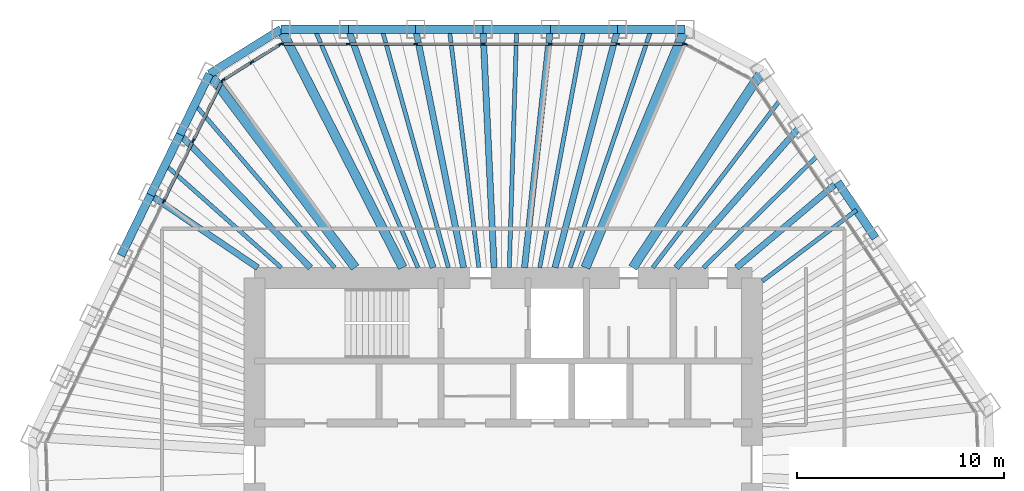
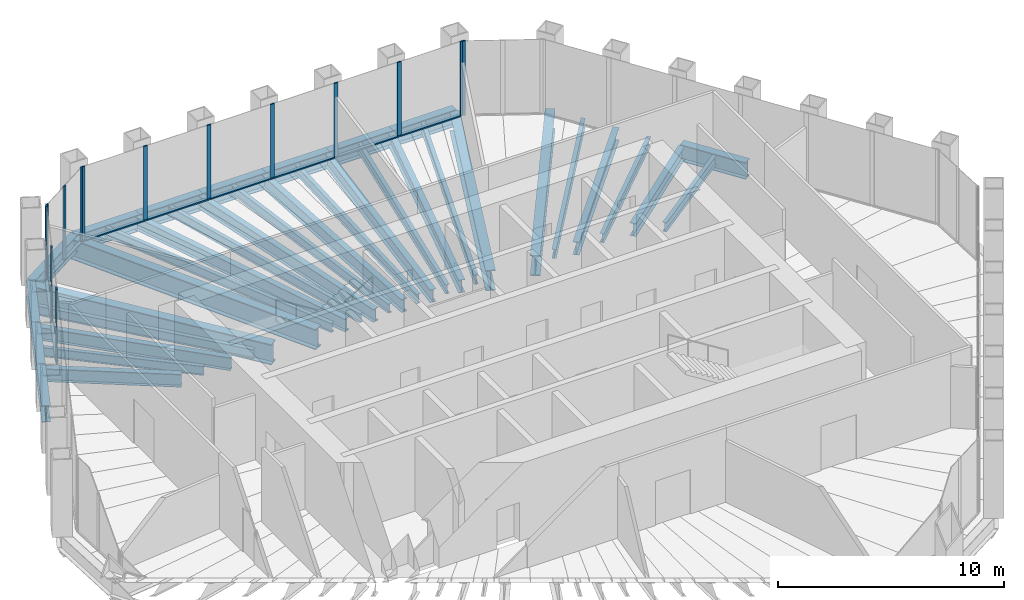
# One storey, part 7 of 14: 35 beams, 24 members, 4 elements without a shape of their own.
"""IFC4 building model written with IfcOpenShell, lengths in metres."""

from ifc_helpers import new_model, si_unit, direction, frame, origin, origin_2d, place, context, subcontext, project, spatial, rectangle, i_section, extrude, material, material_profile, profile_set, type_object, element, aggregate, save


model = new_model("IFC4")

# Units and contexts
model_context = context("Model", 3, precision=1e-05, world=origin(), true_north=direction((0.0, 1.0)))
body_context = subcontext(model_context, "Body", "Model", "MODEL_VIEW")
ifc_project = project(units=[si_unit("LENGTHUNIT", "METRE"), si_unit("AREAUNIT", "SQUARE_METRE"), si_unit("VOLUMEUNIT", "CUBIC_METRE"), si_unit("PLANEANGLEUNIT", "RADIAN"), si_unit("MASSUNIT", "GRAM", prefix="KILO")], contexts=[model_context])

# Site, building, storey
site_placement = place(None, origin())
site = spatial("IfcSite", under=ifc_project, at=site_placement, CompositionType="ELEMENT")
building_placement = place(site_placement, origin())
building = spatial("IfcBuilding", under=site, at=building_placement, Name="Qingtian Harvest Tower", CompositionType="ELEMENT")
storey_placement = place(building_placement, frame((0.0, 0.0, 287.199951171875)))
storey = spatial("IfcBuildingStorey", under=building, at=storey_placement, Name="L63", CompositionType="ELEMENT", Elevation=287.199951171875)

# Beams
ifc_material_1 = material(Name="Steel SM570MC", Category="steel")
ifc_material_profile_1 = material_profile(ifc_material_1, i_section(OverallWidth=0.449951171875, OverallDepth=1.10009765625, WebThickness=0.02197265625, FlangeThickness=0.044921875, at=origin_2d()), Name="H1100x450x22x45")
ifc_profile_set_1 = profile_set([ifc_material_profile_1], Name="Steel SM570MC")
beam_type_1 = type_object("IfcBeamType", Name="Corner floor beam FB8 H1100x450x22x45", PredefinedType="BEAM", material=ifc_profile_set_1)
beam_1_placement = place(storey_placement, frame((-10.72216796875, 21.0, -0.719970703125), z_axis=(0.454730568944, -0.890629052787, 0.0), x_axis=(0.890629052787, 0.454730568944, 0.0)))
element("IfcBeam", 1, at=beam_1_placement, inside=storey, type_object=beam_type_1, Name="Floor beam FB8 N0", PredefinedType="BEAM", context=body_context, shape_type="SweptSolid", body=[
    extrude(i_section(OverallWidth=0.449951171875, OverallDepth=1.10009765625, WebThickness=0.02197265625, FlangeThickness=0.044921875, at=origin_2d()), origin(), (0.0, 0.0, 1.0), 12.912109375),
])
beam_2_placement = place(storey_placement, frame((8.765869140625, 21.0, -0.719970703125), z_axis=(-0.385205133264, -0.922830973313, 0.0), x_axis=(0.922830973313, -0.385205133264, 0.0)))
element("IfcBeam", 2, at=beam_2_placement, inside=storey, type_object=beam_type_1, Name="Floor beam FB8 N6", PredefinedType="BEAM", context=body_context, shape_type="SweptSolid", body=[
    extrude(i_section(OverallWidth=0.449951171875, OverallDepth=1.10009765625, WebThickness=0.02197265625, FlangeThickness=0.044921875, at=origin_2d()), origin(), (0.0, 0.0, 1.0), 12.461669921875),
])
beam_3_placement = place(storey_placement, frame((12.508056640625, 19.01025390625, -0.719970703125), z_axis=(-0.549666916329, -0.835383912398, 0.0), x_axis=(0.835383912398, -0.549666916329, 0.0)))
element("IfcBeam", 3, at=beam_3_placement, inside=storey, type_object=beam_type_1, Name="Floor beam FB8 NE0", PredefinedType="BEAM", context=body_context, shape_type="SweptSolid", body=[
    extrude(i_section(OverallWidth=0.449951171875, OverallDepth=1.10009765625, WebThickness=0.02197265625, FlangeThickness=0.044921875, at=origin_2d()), origin(), (0.0, 0.0, 1.0), 11.38427734375),
])
beam_4_placement = place(storey_placement, frame((-14.17431640625, 18.8427734375, -0.719970703125), z_axis=(0.601148761641, -0.799137138655, 0.0), x_axis=(0.799137138655, 0.601148761641, 0.0)))
element("IfcBeam", 4, at=beam_4_placement, inside=storey, type_object=beam_type_1, Name="Floor beam FB8 NW6", PredefinedType="BEAM", context=body_context, shape_type="SweptSolid", body=[
    extrude(i_section(OverallWidth=0.449951171875, OverallDepth=1.10009765625, WebThickness=0.02197265625, FlangeThickness=0.044921875, at=origin_2d()), origin(), (0.0, 0.0, 1.0), 11.691162109375),
])
ifc_material_2 = material(Name="Steel SN490B", Category="steel")
ifc_material_profile_2 = material_profile(ifc_material_2, i_section(OverallWidth=0.300048828125, OverallDepth=0.699951171875, WebThickness=0.012939453125, FlangeThickness=0.02392578125, at=origin_2d()), Name="H700x300x13x24")
ifc_profile_set_2 = profile_set([ifc_material_profile_2], Name="Steel SN490B")
beam_type_2 = type_object("IfcBeamType", Name="Floor beam FB4 H700x300x13x24", PredefinedType="BEAM", material=ifc_profile_set_2)
beam_5_placement = place(storey_placement, frame((-7.47412109375, 21.0, -0.52001953125), z_axis=(0.335309922571, -0.94210787908, 0.0), x_axis=(0.94210787908, 0.335309922571, 0.0)))
element("IfcBeam", 5, at=beam_5_placement, inside=storey, type_object=beam_type_2, Name="Floor beam FB4 N1", PredefinedType="BEAM", context=body_context, shape_type="SweptSolid", body=[
    extrude(i_section(OverallWidth=0.300048828125, OverallDepth=0.699951171875, WebThickness=0.012939453125, FlangeThickness=0.02392578125, at=origin_2d()), origin(), (0.0, 0.0, 1.0), 12.206787109375),
])
beam_6_placement = place(storey_placement, frame((-4.226318359375, 21.0, -0.52001953125), z_axis=(0.197300692693, -0.980343019898, 0.0), x_axis=(0.980343019898, 0.197300692693, 0.0)))
element("IfcBeam", 6, at=beam_6_placement, inside=storey, type_object=beam_type_2, Name="Floor beam FB4 N2", PredefinedType="BEAM", context=body_context, shape_type="SweptSolid", body=[
    extrude(i_section(OverallWidth=0.300048828125, OverallDepth=0.699951171875, WebThickness=0.012939453125, FlangeThickness=0.02392578125, at=origin_2d()), origin(), (0.0, 0.0, 1.0), 11.73046875),
])
beam_7_placement = place(storey_placement, frame((-0.978271484375, 21.0, -0.52001953125), z_axis=(0.046527342366, -0.99891701678, 0.0), x_axis=(0.99891701678, 0.046527342366, 0.0)))
element("IfcBeam", 7, at=beam_7_placement, inside=storey, type_object=beam_type_2, Name="Floor beam FB4 N3", PredefinedType="BEAM", context=body_context, shape_type="SweptSolid", body=[
    extrude(i_section(OverallWidth=0.300048828125, OverallDepth=0.699951171875, WebThickness=0.012939453125, FlangeThickness=0.02392578125, at=origin_2d()), origin(), (0.0, 0.0, 1.0), 11.512451171875),
])
beam_8_placement = place(storey_placement, frame((2.269775390625, 21.0, -0.52001953125), z_axis=(-0.107454213734, -0.994210034123, 0.0), x_axis=(0.994210034123, -0.107454213734, 0.0)))
element("IfcBeam", 8, at=beam_8_placement, inside=storey, type_object=beam_type_2, Name="Floor beam FB4 N4", PredefinedType="BEAM", context=body_context, shape_type="SweptSolid", body=[
    extrude(i_section(OverallWidth=0.300048828125, OverallDepth=0.699951171875, WebThickness=0.012939453125, FlangeThickness=0.02392578125, at=origin_2d()), origin(), (0.0, 0.0, 1.0), 11.56689453125),
])
beam_9_placement = place(storey_placement, frame((5.517822265625, 21.0, -0.52001953125), z_axis=(-0.254132470973, -0.967169420111, 0.0), x_axis=(0.967169420111, -0.254132470973, 0.0)))
element("IfcBeam", 9, at=beam_9_placement, inside=storey, type_object=beam_type_2, Name="Floor beam FB4 N5", PredefinedType="BEAM", context=body_context, shape_type="SweptSolid", body=[
    extrude(i_section(OverallWidth=0.300048828125, OverallDepth=0.699951171875, WebThickness=0.012939453125, FlangeThickness=0.02392578125, at=origin_2d()), origin(), (0.0, 0.0, 1.0), 11.890380859375),
])
beam_10_placement = place(storey_placement, frame((14.32421875, 16.317626953125, -0.52001953125), z_axis=(-0.659702205655, -0.751527111856, 0.0), x_axis=(0.751527111856, -0.659702205655, 0.0)))
element("IfcBeam", 10, at=beam_10_placement, inside=storey, type_object=beam_type_2, Name="Floor beam FB4 NE1", PredefinedType="BEAM", context=body_context, shape_type="SweptSolid", body=[
    extrude(i_section(OverallWidth=0.300048828125, OverallDepth=0.699951171875, WebThickness=0.012939453125, FlangeThickness=0.02392578125, at=origin_2d()), origin(), (0.0, 0.0, 1.0), 9.07177734375),
])
beam_11_placement = place(storey_placement, frame((16.140625, 13.624755859375, -0.52001953125), z_axis=(-0.764153276603, -0.645034704382, 0.0), x_axis=(0.645034704382, -0.764153276603, 0.0)))
element("IfcBeam", 11, at=beam_11_placement, inside=storey, type_object=beam_type_2, Name="Floor beam FB4 NE2", PredefinedType="BEAM", context=body_context, shape_type="SweptSolid", body=[
    extrude(i_section(OverallWidth=0.300048828125, OverallDepth=0.699951171875, WebThickness=0.012939453125, FlangeThickness=0.02392578125, at=origin_2d()), origin(), (0.0, 0.0, 1.0), 6.39453125),
])
beam_12_placement = place(storey_placement, frame((-17.02197265625, 13.00439453125, -0.52001953125), z_axis=(0.827854296295, -0.560943191514, 0.0), x_axis=(0.560943191514, 0.827854296295, 0.0)))
element("IfcBeam", 12, at=beam_12_placement, inside=storey, type_object=beam_type_2, Name="Floor beam FB4 NW4", PredefinedType="BEAM", context=body_context, shape_type="SweptSolid", body=[
    extrude(i_section(OverallWidth=0.300048828125, OverallDepth=0.699951171875, WebThickness=0.012939453125, FlangeThickness=0.02392578125, at=origin_2d()), origin(), (0.0, 0.0, 1.0), 6.247314453125),
])
beam_13_placement = place(storey_placement, frame((-15.59814453125, 15.923583984375, -0.52001953125), z_axis=(0.699765413715, -0.714372707883, 0.0), x_axis=(0.714372707883, 0.699765413715, 0.0)))
element("IfcBeam", 13, at=beam_13_placement, inside=storey, type_object=beam_type_2, Name="Floor beam FB4 NW5", PredefinedType="BEAM", context=body_context, shape_type="SweptSolid", body=[
    extrude(i_section(OverallWidth=0.300048828125, OverallDepth=0.699951171875, WebThickness=0.012939453125, FlangeThickness=0.02392578125, at=origin_2d()), origin(), (0.0, 0.0, 1.0), 8.991943359375),
])
ifc_material_3 = material(Name="Steel SN490B", Category="steel")
ifc_material_profile_3 = material_profile(ifc_material_3, i_section(OverallWidth=0.199951171875, OverallDepth=0.5, WebThickness=0.010009765625, FlangeThickness=0.01611328125, at=origin_2d()), Name="H500x200x10x16")
ifc_profile_set_3 = profile_set([ifc_material_profile_3], Name="Steel SN490B")
beam_type_3 = type_object("IfcBeamType", Name="Floor joist J3 H500x200x10x16", PredefinedType="JOIST", material=ifc_profile_set_3)
beam_14_placement = place(storey_placement, frame((-9.09814453125, 21.0, -0.419921875), z_axis=(0.397529807491, -0.917589261138, 0.0), x_axis=(0.917589261138, 0.397529807491, 0.0)))
element("IfcBeam", 14, at=beam_14_placement, inside=storey, type_object=beam_type_3, Name="Floor joist J3 N0", PredefinedType="JOIST", context=body_context, shape_type="SweptSolid", body=[
    extrude(i_section(OverallWidth=0.199951171875, OverallDepth=0.5, WebThickness=0.010009765625, FlangeThickness=0.01611328125, at=origin_2d()), origin(), (0.0, 0.0, 1.0), 12.532958984375),
])
beam_15_placement = place(storey_placement, frame((-5.85009765625, 21.0, -0.419921875), z_axis=(0.268356818155, -0.963319582563, 0.0), x_axis=(0.963319582563, 0.268356818155, 0.0)))
element("IfcBeam", 15, at=beam_15_placement, inside=storey, type_object=beam_type_3, Name="Floor joist J3 N1", PredefinedType="JOIST", context=body_context, shape_type="SweptSolid", body=[
    extrude(i_section(OverallWidth=0.199951171875, OverallDepth=0.5, WebThickness=0.010009765625, FlangeThickness=0.01611328125, at=origin_2d()), origin(), (0.0, 0.0, 1.0), 11.93798828125),
])
beam_16_placement = place(storey_placement, frame((-2.602294921875, 21.0, -0.419921875), z_axis=(0.122976702395, -0.992409557929, 0.0), x_axis=(0.992409557929, 0.122976702395, 0.0)))
element("IfcBeam", 16, at=beam_16_placement, inside=storey, type_object=beam_type_3, Name="Floor joist J3 N2", PredefinedType="JOIST", context=body_context, shape_type="SweptSolid", body=[
    extrude(i_section(OverallWidth=0.199951171875, OverallDepth=0.5, WebThickness=0.010009765625, FlangeThickness=0.01611328125, at=origin_2d()), origin(), (0.0, 0.0, 1.0), 11.587890625),
])
beam_17_placement = place(storey_placement, frame((0.645751953125, 21.0, -0.419921875), z_axis=(-0.030725974878, -0.999527845769, 0.0), x_axis=(0.999527845769, -0.030725974878, 0.0)))
element("IfcBeam", 17, at=beam_17_placement, inside=storey, type_object=beam_type_3, Name="Floor joist J3 N3", PredefinedType="JOIST", context=body_context, shape_type="SweptSolid", body=[
    extrude(i_section(OverallWidth=0.199951171875, OverallDepth=0.5, WebThickness=0.010009765625, FlangeThickness=0.01611328125, at=origin_2d()), origin(), (0.0, 0.0, 1.0), 11.50537109375),
])
beam_18_placement = place(storey_placement, frame((3.893798828125, 21.0, -0.419921875), z_axis=(-0.182312001941, -0.983240730416, 0.0), x_axis=(0.983240730416, -0.182312001941, 0.0)))
element("IfcBeam", 18, at=beam_18_placement, inside=storey, type_object=beam_type_3, Name="Floor joist J3 N4", PredefinedType="JOIST", context=body_context, shape_type="SweptSolid", body=[
    extrude(i_section(OverallWidth=0.199951171875, OverallDepth=0.5, WebThickness=0.010009765625, FlangeThickness=0.01611328125, at=origin_2d()), origin(), (0.0, 0.0, 1.0), 11.696044921875),
])
beam_19_placement = place(storey_placement, frame((7.141845703125, 21.0, -0.419921875), z_axis=(-0.321968312345, -0.94675044539, 0.0), x_axis=(0.94675044539, -0.321968312345, 0.0)))
element("IfcBeam", 19, at=beam_19_placement, inside=storey, type_object=beam_type_3, Name="Floor joist J3 N5", PredefinedType="JOIST", context=body_context, shape_type="SweptSolid", body=[
    extrude(i_section(OverallWidth=0.199951171875, OverallDepth=0.5, WebThickness=0.010009765625, FlangeThickness=0.01611328125, at=origin_2d()), origin(), (0.0, 0.0, 1.0), 12.146728515625),
])
beam_20_placement = place(storey_placement, frame((13.416015625, 17.6640625, -0.419921875), z_axis=(-0.604835675798, -0.796350303122, 0.0), x_axis=(0.796350303122, -0.604835675798, 0.0)))
element("IfcBeam", 20, at=beam_20_placement, inside=storey, type_object=beam_type_3, Name="Floor joist J3 NE0", PredefinedType="JOIST", context=body_context, shape_type="SweptSolid", body=[
    extrude(i_section(OverallWidth=0.199951171875, OverallDepth=0.5, WebThickness=0.010009765625, FlangeThickness=0.01611328125, at=origin_2d()), origin(), (0.0, 0.0, 1.0), 10.251953125),
])
beam_21_placement = place(storey_placement, frame((15.232421875, 14.97119140625, -0.419921875), z_axis=(-0.713195408707, -0.700965269467, 0.0), x_axis=(0.700965269467, -0.713195408707, 0.0)))
element("IfcBeam", 21, at=beam_21_placement, inside=storey, type_object=beam_type_3, Name="Floor joist J3 NE1", PredefinedType="JOIST", context=body_context, shape_type="SweptSolid", body=[
    extrude(i_section(OverallWidth=0.199951171875, OverallDepth=0.5, WebThickness=0.010009765625, FlangeThickness=0.01611328125, at=origin_2d()), origin(), (0.0, 0.0, 1.0), 7.80517578125),
])
beam_22_placement = place(storey_placement, frame((17.048583984375, 12.278564453125, -0.419921875), z_axis=(-0.79856269076, -0.601911645448, 0.0), x_axis=(0.601911645448, -0.79856269076, 0.0)))
element("IfcBeam", 22, at=beam_22_placement, inside=storey, type_object=beam_type_3, Name="Floor joist J3 NE2", PredefinedType="JOIST", context=body_context, shape_type="SweptSolid", body=[
    extrude(i_section(OverallWidth=0.199951171875, OverallDepth=0.5, WebThickness=0.010009765625, FlangeThickness=0.01611328125, at=origin_2d()), origin(), (0.0, 0.0, 1.0), 5.696044921875),
])
beam_23_placement = place(storey_placement, frame((-16.31005859375, 14.4638671875, -0.419921875), z_axis=(0.748179407524, -0.663496476372, 0.0), x_axis=(0.663496476372, 0.748179407524, 0.0)))
element("IfcBeam", 23, at=beam_23_placement, inside=storey, type_object=beam_type_3, Name="Floor joist J3 NW4", PredefinedType="JOIST", context=body_context, shape_type="SweptSolid", body=[
    extrude(i_section(OverallWidth=0.199951171875, OverallDepth=0.5, WebThickness=0.010009765625, FlangeThickness=0.01611328125, at=origin_2d()), origin(), (0.0, 0.0, 1.0), 7.4814453125),
])
beam_24_placement = place(storey_placement, frame((-14.88623046875, 17.38330078125, -0.419921875), z_axis=(0.650436795804, -0.7595603825, 0.0), x_axis=(0.7595603825, 0.650436795804, 0.0)))
element("IfcBeam", 24, at=beam_24_placement, inside=storey, type_object=beam_type_3, Name="Floor joist J3 NW5", PredefinedType="JOIST", context=body_context, shape_type="SweptSolid", body=[
    extrude(i_section(OverallWidth=0.199951171875, OverallDepth=0.5, WebThickness=0.010009765625, FlangeThickness=0.01611328125, at=origin_2d()), origin(), (0.0, 0.0, 1.0), 10.378662109375),
])

# Curtain wall, members
ifc_material_4 = material(Name="Bronze-anodised aluminium curtain wall", Category="aluminium")
curtain_wall_type = type_object("IfcCurtainWallType", Name="Curtain wall CW5 upper office", PredefinedType="USERDEFINED", material=ifc_material_4)
curtain_wall_1_placement = place(storey_placement, origin())
curtain_wall_1 = element("IfcCurtainWall", 25, at=curtain_wall_1_placement, inside=storey, type_object=curtain_wall_type, Name="Curtain wall CW5 L63 N0-5", ObjectType="RECESSED CURTAIN WALL", PredefinedType="USERDEFINED")
ifc_material_5 = material(Name="Bronze-anodised aluminium mullion", Category="aluminium")
ifc_material_profile_4 = material_profile(ifc_material_5, rectangle(XDim=0.06494140625, YDim=0.199951171875, at=origin_2d()), Name="AL 65x200")
ifc_profile_set_4 = profile_set([ifc_material_profile_4], Name="Bronze-anodised aluminium mullion")
member_type_1 = type_object("IfcMemberType", Name="Mullion CWM 65x200", PredefinedType="MULLION", material=ifc_profile_set_4)
member_1_placement = place(storey_placement, frame((-10.689697265625, 20.300048828125, 0.0), z_axis=(0.0, 0.0, 1.0), x_axis=(0.0, 1.0, 0.0)))
member_1 = element("IfcMember", 26, at=member_1_placement, type_object=member_type_1, Name="CW5 mullion 1", PredefinedType="MULLION", context=body_context, shape_type="SweptSolid", body=[
    extrude(rectangle(XDim=0.06494140625, YDim=0.199951171875, at=origin_2d()), origin(), (0.0, 0.0, 1.0), 4.030029296875),
])
member_2_placement = place(storey_placement, frame((-7.47412109375, 20.300048828125, 0.0), z_axis=(0.0, 0.0, 1.0), x_axis=(0.0, 1.0, 0.0)))
member_2 = element("IfcMember", 27, at=member_2_placement, type_object=member_type_1, Name="CW5 mullion 2", PredefinedType="MULLION", context=body_context, shape_type="SweptSolid", body=[
    extrude(rectangle(XDim=0.06494140625, YDim=0.199951171875, at=origin_2d()), origin(), (0.0, 0.0, 1.0), 4.030029296875),
])
member_3_placement = place(storey_placement, frame((-4.226318359375, 20.300048828125, 0.0), z_axis=(0.0, 0.0, 1.0), x_axis=(0.0, 1.0, 0.0)))
member_3 = element("IfcMember", 28, at=member_3_placement, type_object=member_type_1, Name="CW5 mullion 3", PredefinedType="MULLION", context=body_context, shape_type="SweptSolid", body=[
    extrude(rectangle(XDim=0.06494140625, YDim=0.199951171875, at=origin_2d()), origin(), (0.0, 0.0, 1.0), 4.030029296875),
])
member_4_placement = place(storey_placement, frame((-0.978271484375, 20.300048828125, 0.0), z_axis=(0.0, 0.0, 1.0), x_axis=(0.0, 1.0, 0.0)))
member_4 = element("IfcMember", 29, at=member_4_placement, type_object=member_type_1, Name="CW5 mullion 4", PredefinedType="MULLION", context=body_context, shape_type="SweptSolid", body=[
    extrude(rectangle(XDim=0.06494140625, YDim=0.199951171875, at=origin_2d()), origin(), (0.0, 0.0, 1.0), 4.030029296875),
])
member_5_placement = place(storey_placement, frame((2.269775390625, 20.300048828125, 0.0), z_axis=(0.0, 0.0, 1.0), x_axis=(0.0, 1.0, 0.0)))
member_5 = element("IfcMember", 30, at=member_5_placement, type_object=member_type_1, Name="CW5 mullion 5", PredefinedType="MULLION", context=body_context, shape_type="SweptSolid", body=[
    extrude(rectangle(XDim=0.06494140625, YDim=0.199951171875, at=origin_2d()), origin(), (0.0, 0.0, 1.0), 4.030029296875),
])
member_6_placement = place(storey_placement, frame((5.517822265625, 20.300048828125, 0.0), z_axis=(0.0, 0.0, 1.0), x_axis=(0.0, 1.0, 0.0)))
member_6 = element("IfcMember", 31, at=member_6_placement, type_object=member_type_1, Name="CW5 mullion 6", PredefinedType="MULLION", context=body_context, shape_type="SweptSolid", body=[
    extrude(rectangle(XDim=0.06494140625, YDim=0.199951171875, at=origin_2d()), origin(), (0.0, 0.0, 1.0), 4.030029296875),
])
member_7_placement = place(storey_placement, frame((8.7333984375, 20.300048828125, 0.0), z_axis=(0.0, 0.0, 1.0), x_axis=(0.0, 1.0, 0.0)))
member_7 = element("IfcMember", 32, at=member_7_placement, type_object=member_type_1, Name="CW5 mullion 7", PredefinedType="MULLION", context=body_context, shape_type="SweptSolid", body=[
    extrude(rectangle(XDim=0.06494140625, YDim=0.199951171875, at=origin_2d()), origin(), (0.0, 0.0, 1.0), 4.030029296875),
])

# Curtain wall, member
curtain_wall_2_placement = place(storey_placement, origin())
curtain_wall_2 = element("IfcCurtainWall", 33, at=curtain_wall_2_placement, inside=storey, type_object=curtain_wall_type, Name="Curtain wall CW5 L63 NC", ObjectType="RECESSED CURTAIN WALL", PredefinedType="USERDEFINED")
member_8_placement = place(storey_placement, frame((8.794677734375, 20.28466796875, 0.0), z_axis=(0.0, 0.0, 1.0), x_axis=(0.469471562786, 0.882947592859, 0.0)))
member_8 = element("IfcMember", 34, at=member_8_placement, type_object=member_type_1, Name="CW5 mullion 1", PredefinedType="MULLION", context=body_context, shape_type="SweptSolid", body=[
    extrude(rectangle(XDim=0.06494140625, YDim=0.199951171875, at=origin_2d()), origin(), (0.0, 0.0, 1.0), 4.030029296875),
])
aggregate(curtain_wall_2, [member_8])

# Curtain wall, members
curtain_wall_3_placement = place(storey_placement, origin())
curtain_wall_3 = element("IfcCurtainWall", 35, at=curtain_wall_3_placement, inside=storey, type_object=curtain_wall_type, Name="Curtain wall CW5 L63 NW0-5", ObjectType="RECESSED CURTAIN WALL", PredefinedType="USERDEFINED")
member_9_placement = place(storey_placement, frame((-16.392822265625, 12.697509765625, 0.0), z_axis=(0.0, 0.0, 1.0), x_axis=(-0.898794046299, 0.438371146789, 0.0)))
member_9 = element("IfcMember", 36, at=member_9_placement, type_object=member_type_1, Name="CW5 mullion 5", PredefinedType="MULLION", context=body_context, shape_type="SweptSolid", body=[
    extrude(rectangle(XDim=0.06494140625, YDim=0.199951171875, at=origin_2d()), origin(), (0.0, 0.0, 1.0), 4.030029296875),
])
member_10_placement = place(storey_placement, frame((-14.968994140625, 15.61669921875, 0.0), z_axis=(0.0, 0.0, 1.0), x_axis=(-0.898794046299, 0.438371146789, 0.0)))
member_10 = element("IfcMember", 37, at=member_10_placement, type_object=member_type_1, Name="CW5 mullion 6", PredefinedType="MULLION", context=body_context, shape_type="SweptSolid", body=[
    extrude(rectangle(XDim=0.06494140625, YDim=0.199951171875, at=origin_2d()), origin(), (0.0, 0.0, 1.0), 4.030029296875),
])
member_11_placement = place(storey_placement, frame((-13.559326171875, 18.5068359375, 0.0), z_axis=(0.0, 0.0, 1.0), x_axis=(-0.898794046299, 0.438371146789, 0.0)))
member_11 = element("IfcMember", 38, at=member_11_placement, type_object=member_type_1, Name="CW5 mullion 7", PredefinedType="MULLION", context=body_context, shape_type="SweptSolid", body=[
    extrude(rectangle(XDim=0.06494140625, YDim=0.199951171875, at=origin_2d()), origin(), (0.0, 0.0, 1.0), 4.030029296875),
])

curtain_wall_4_placement = place(storey_placement, origin())
curtain_wall_4 = element("IfcCurtainWall", 39, at=curtain_wall_4_placement, inside=storey, type_object=curtain_wall_type, Name="Curtain wall CW5 L63 NWC", ObjectType="RECESSED CURTAIN WALL", PredefinedType="USERDEFINED")
member_12_placement = place(storey_placement, frame((-13.517578125, 18.55322265625, 0.0), z_axis=(0.0, 0.0, 1.0), x_axis=(-0.529919264233, 0.848048096156, 0.0)))
member_12 = element("IfcMember", 40, at=member_12_placement, type_object=member_type_1, Name="CW5 mullion 1", PredefinedType="MULLION", context=body_context, shape_type="SweptSolid", body=[
    extrude(rectangle(XDim=0.06494140625, YDim=0.199951171875, at=origin_2d()), origin(), (0.0, 0.0, 1.0), 4.030029296875),
])
member_13_placement = place(storey_placement, frame((-12.1337890625, 19.41796875, 0.0), z_axis=(0.0, 0.0, 1.0), x_axis=(-0.529919264233, 0.848048096156, 0.0)))
member_13 = element("IfcMember", 41, at=member_13_placement, type_object=member_type_1, Name="CW5 mullion 2", PredefinedType="MULLION", context=body_context, shape_type="SweptSolid", body=[
    extrude(rectangle(XDim=0.06494140625, YDim=0.199951171875, at=origin_2d()), origin(), (0.0, 0.0, 1.0), 4.030029296875),
])
member_14_placement = place(storey_placement, frame((-10.749755859375, 20.28271484375, 0.0), z_axis=(0.0, 0.0, 1.0), x_axis=(-0.529919264233, 0.848048096156, 0.0)))
member_14 = element("IfcMember", 42, at=member_14_placement, type_object=member_type_1, Name="CW5 mullion 3", PredefinedType="MULLION", context=body_context, shape_type="SweptSolid", body=[
    extrude(rectangle(XDim=0.06494140625, YDim=0.199951171875, at=origin_2d()), origin(), (0.0, 0.0, 1.0), 4.030029296875),
])

# Beams
ifc_material_6 = material(Name="Steel SN490B", Category="steel")
ifc_material_profile_5 = material_profile(ifc_material_6, i_section(OverallWidth=0.39990234375, OverallDepth=0.89990234375, WebThickness=0.01904296875, FlangeThickness=0.035888671875, at=origin_2d()), Name="H900x400x19x36")
ifc_profile_set_5 = profile_set([ifc_material_profile_5], Name="Steel SN490B")
beam_type_4 = type_object("IfcBeamType", Name="Spandrel beam SB4 H900x400x19x36", PredefinedType="SPANDREL", material=ifc_profile_set_5)
beam_25_placement = place(storey_placement, frame((-10.72216796875, 21.0, -0.449951171875), z_axis=(1.0, 0.0, 0.0), x_axis=(0.0, 1.0, 0.0)))
element("IfcBeam", 43, at=beam_25_placement, inside=storey, type_object=beam_type_4, Name="Spandrel SB4 N0", PredefinedType="SPANDREL", context=body_context, shape_type="SweptSolid", body=[
    extrude(i_section(OverallWidth=0.39990234375, OverallDepth=0.89990234375, WebThickness=0.01904296875, FlangeThickness=0.035888671875, at=origin_2d()), origin(), (0.0, 0.0, 1.0), 3.248046875),
])
beam_26_placement = place(storey_placement, frame((-7.47412109375, 21.0, -0.449951171875), z_axis=(1.0, 0.0, 0.0), x_axis=(0.0, 1.0, 0.0)))
element("IfcBeam", 44, at=beam_26_placement, inside=storey, type_object=beam_type_4, Name="Spandrel SB4 N1", PredefinedType="SPANDREL", context=body_context, shape_type="SweptSolid", body=[
    extrude(i_section(OverallWidth=0.39990234375, OverallDepth=0.89990234375, WebThickness=0.01904296875, FlangeThickness=0.035888671875, at=origin_2d()), origin(), (0.0, 0.0, 1.0), 3.247802734375),
])
for number, where, z_axis, x_axis, name in (
    (45, (-4.226318359375, 21.0, -0.449951171875), (1.0, 0.0, 0.0), (0.0, 1.0, 0.0), "Spandrel SB4 N2"),
    (46, (-0.978271484375, 21.0, -0.449951171875), (1.0, 0.0, 0.0), (0.0, 1.0, 0.0), "Spandrel SB4 N3"),
    (47, (2.269775390625, 21.0, -0.449951171875), (1.0, 0.0, 0.0), (0.0, 1.0, 0.0), "Spandrel SB4 N4"),
    (48, (5.517822265625, 21.0, -0.449951171875), (1.0, 0.0, 0.0), (0.0, 1.0, 0.0), "Spandrel SB4 N5"),
):
    element("IfcBeam", number, at=place(storey_placement, frame(where, z_axis=z_axis, x_axis=x_axis)), inside=storey, type_object=beam_type_4, Name=name, PredefinedType="SPANDREL", context=body_context, shape_type="SweptSolid", body=[
        extrude(i_section(OverallWidth=0.39990234375, OverallDepth=0.89990234375, WebThickness=0.01904296875, FlangeThickness=0.035888671875, at=origin_2d()), origin(), (0.0, 0.0, 1.0), 3.248046875),
    ])
beam_27_placement = place(storey_placement, frame((16.140625, 13.624755859375, -0.449951171875), z_axis=(0.559184924833, -0.829042954158, 0.0), x_axis=(0.829042954158, 0.559184924833, 0.0)))
element("IfcBeam", 49, at=beam_27_placement, inside=storey, type_object=beam_type_4, Name="Spandrel SB4 NE2", PredefinedType="SPANDREL", context=body_context, shape_type="SweptSolid", body=[
    extrude(i_section(OverallWidth=0.39990234375, OverallDepth=0.89990234375, WebThickness=0.01904296875, FlangeThickness=0.035888671875, at=origin_2d()), origin(), (0.0, 0.0, 1.0), 3.247802734375),
])
beam_28_placement = place(storey_placement, frame((-18.44580078125, 10.0849609375, -0.449951171875), z_axis=(0.438352548749, 0.898803116931, 0.0), x_axis=(-0.898803116931, 0.438352548749, 0.0)))
element("IfcBeam", 50, at=beam_28_placement, inside=storey, type_object=beam_type_4, Name="Spandrel SB4 NW3", PredefinedType="SPANDREL", context=body_context, shape_type="SweptSolid", body=[
    extrude(i_section(OverallWidth=0.39990234375, OverallDepth=0.89990234375, WebThickness=0.01904296875, FlangeThickness=0.035888671875, at=origin_2d()), origin(), (0.0, 0.0, 1.0), 3.248046875),
])
for number, where, z_axis, x_axis, name in (
    (51, (-17.02197265625, 13.00439453125, -0.449951171875), (0.438382164311, 0.898788672611, 0.0), (-0.898788672611, 0.438382164311, 0.0), "Spandrel SB4 NW4"),
    (52, (-15.59814453125, 15.923583984375, -0.449951171875), (0.438382164311, 0.898788672611, 0.0), (-0.898788672611, 0.438382164311, 0.0), "Spandrel SB4 NW5"),
):
    element("IfcBeam", number, at=place(storey_placement, frame(where, z_axis=z_axis, x_axis=x_axis)), inside=storey, type_object=beam_type_4, Name=name, PredefinedType="SPANDREL", context=body_context, shape_type="SweptSolid", body=[
        extrude(i_section(OverallWidth=0.39990234375, OverallDepth=0.89990234375, WebThickness=0.01904296875, FlangeThickness=0.035888671875, at=origin_2d()), origin(), (0.0, 0.0, 1.0), 3.247802734375),
    ])
beam_29_placement = place(storey_placement, frame((-14.17431640625, 18.8427734375, -0.449951171875), z_axis=(0.848038733752, 0.529934246919, 0.0), x_axis=(-0.529934246919, 0.848038733752, 0.0)))
element("IfcBeam", 53, at=beam_29_placement, inside=storey, type_object=beam_type_4, Name="Spandrel SB4 NWC", PredefinedType="SPANDREL", context=body_context, shape_type="SweptSolid", body=[
    extrude(i_section(OverallWidth=0.39990234375, OverallDepth=0.89990234375, WebThickness=0.01904296875, FlangeThickness=0.035888671875, at=origin_2d()), origin(), (0.0, 0.0, 1.0), 4.07080078125),
])

# Member
ifc_material_7 = material(Name="Bronze-anodised aluminium transom", Category="aluminium")
ifc_material_profile_6 = material_profile(ifc_material_7, rectangle(XDim=0.14990234375, YDim=0.06494140625, at=origin_2d()), Name="AL 65x150")
ifc_profile_set_6 = profile_set([ifc_material_profile_6], Name="Bronze-anodised aluminium transom")
member_type_2 = type_object("IfcMemberType", Name="Transom CWT 65x150", PredefinedType="USERDEFINED", material=ifc_profile_set_6)
member_15_placement = place(storey_placement, frame((-10.6572265625, 20.300048828125, 0.032470703125), z_axis=(1.0, 0.0, 0.0), x_axis=(0.0, 1.0, 0.0)))
member_15 = element("IfcMember", 54, at=member_15_placement, type_object=member_type_2, Name="CW5 transom 1.1", ObjectType="TRANSOM", PredefinedType="USERDEFINED", context=body_context, shape_type="SweptSolid", body=[
    extrude(rectangle(XDim=0.14990234375, YDim=0.06494140625, at=origin_2d()), origin(), (0.0, 0.0, 1.0), 3.150390625),
])

member_16_placement = place(storey_placement, frame((-7.441650390625, 20.300048828125, 0.032470703125), z_axis=(1.0, 0.0, 0.0), x_axis=(0.0, 1.0, 0.0)))
member_16 = element("IfcMember", 55, at=member_16_placement, type_object=member_type_2, Name="CW5 transom 2.1", ObjectType="TRANSOM", PredefinedType="USERDEFINED", context=body_context, shape_type="SweptSolid", body=[
    extrude(rectangle(XDim=0.14990234375, YDim=0.06494140625, at=origin_2d()), origin(), (0.0, 0.0, 1.0), 3.182861328125),
])

member_17_placement = place(storey_placement, frame((-4.193603515625, 20.300048828125, 0.032470703125), z_axis=(1.0, 0.0, 0.0), x_axis=(0.0, 1.0, 0.0)))
member_17 = element("IfcMember", 56, at=member_17_placement, type_object=member_type_2, Name="CW5 transom 3.1", ObjectType="TRANSOM", PredefinedType="USERDEFINED", context=body_context, shape_type="SweptSolid", body=[
    extrude(rectangle(XDim=0.14990234375, YDim=0.06494140625, at=origin_2d()), origin(), (0.0, 0.0, 1.0), 3.182861328125),
])

member_18_placement = place(storey_placement, frame((-0.94580078125, 20.300048828125, 0.032470703125), z_axis=(1.0, 0.0, 0.0), x_axis=(0.0, 1.0, 0.0)))
member_18 = element("IfcMember", 57, at=member_18_placement, type_object=member_type_2, Name="CW5 transom 4.1", ObjectType="TRANSOM", PredefinedType="USERDEFINED", context=body_context, shape_type="SweptSolid", body=[
    extrude(rectangle(XDim=0.14990234375, YDim=0.06494140625, at=origin_2d()), origin(), (0.0, 0.0, 1.0), 3.18310546875),
])

member_19_placement = place(storey_placement, frame((2.30224609375, 20.300048828125, 0.032470703125), z_axis=(1.0, 0.0, 0.0), x_axis=(0.0, 1.0, 0.0)))
member_19 = element("IfcMember", 58, at=member_19_placement, type_object=member_type_2, Name="CW5 transom 5.1", ObjectType="TRANSOM", PredefinedType="USERDEFINED", context=body_context, shape_type="SweptSolid", body=[
    extrude(rectangle(XDim=0.14990234375, YDim=0.06494140625, at=origin_2d()), origin(), (0.0, 0.0, 1.0), 3.18310546875),
])

member_20_placement = place(storey_placement, frame((5.55029296875, 20.300048828125, 0.032470703125), z_axis=(1.0, 0.0, 0.0), x_axis=(0.0, 1.0, 0.0)))
member_20 = element("IfcMember", 59, at=member_20_placement, type_object=member_type_2, Name="CW5 transom 6.1", ObjectType="TRANSOM", PredefinedType="USERDEFINED", context=body_context, shape_type="SweptSolid", body=[
    extrude(rectangle(XDim=0.14990234375, YDim=0.06494140625, at=origin_2d()), origin(), (0.0, 0.0, 1.0), 3.150634765625),
])

aggregate(curtain_wall_1, [member_1, member_2, member_3, member_4, member_5, member_6, member_7, member_15, member_16, member_17, member_18, member_19, member_20])

member_21_placement = place(storey_placement, frame((-16.378662109375, 12.7265625, 0.032470703125), z_axis=(0.438355626738, 0.898801615768, 0.0), x_axis=(-0.898801615768, 0.438355626738, 0.0)))
member_21 = element("IfcMember", 60, at=member_21_placement, type_object=member_type_2, Name="CW5 transom 5.1", ObjectType="TRANSOM", PredefinedType="USERDEFINED", context=body_context, shape_type="SweptSolid", body=[
    extrude(rectangle(XDim=0.14990234375, YDim=0.06494140625, at=origin_2d()), origin(), (0.0, 0.0, 1.0), 3.182861328125),
])

member_22_placement = place(storey_placement, frame((-14.954833984375, 15.64599609375, 0.032470703125), z_axis=(0.438388515075, 0.898785575012, 0.0), x_axis=(-0.898785575012, 0.438388515075, 0.0)))
member_22 = element("IfcMember", 61, at=member_22_placement, type_object=member_type_2, Name="CW5 transom 6.1", ObjectType="TRANSOM", PredefinedType="USERDEFINED", context=body_context, shape_type="SweptSolid", body=[
    extrude(rectangle(XDim=0.14990234375, YDim=0.06494140625, at=origin_2d()), origin(), (0.0, 0.0, 1.0), 3.150390625),
])

aggregate(curtain_wall_3, [member_9, member_10, member_11, member_21, member_22])

member_23_placement = place(storey_placement, frame((-13.489990234375, 18.570556640625, 0.032470703125), z_axis=(0.848015812303, 0.529970925697, 0.0), x_axis=(-0.529970925697, 0.848015812303, 0.0)))
member_23 = element("IfcMember", 62, at=member_23_placement, type_object=member_type_2, Name="CW5 transom 1.1", ObjectType="TRANSOM", PredefinedType="USERDEFINED", context=body_context, shape_type="SweptSolid", body=[
    extrude(rectangle(XDim=0.14990234375, YDim=0.06494140625, at=origin_2d()), origin(), (0.0, 0.0, 1.0), 1.566650390625),
])

member_24_placement = place(storey_placement, frame((-12.106201171875, 19.435302734375, 0.032470703125), z_axis=(0.848059570903, 0.529900900357, 0.0), x_axis=(-0.529900900357, 0.848059570903, 0.0)))
member_24 = element("IfcMember", 63, at=member_24_placement, type_object=member_type_2, Name="CW5 transom 2.1", ObjectType="TRANSOM", PredefinedType="USERDEFINED", context=body_context, shape_type="SweptSolid", body=[
    extrude(rectangle(XDim=0.14990234375, YDim=0.06494140625, at=origin_2d()), origin(), (0.0, 0.0, 1.0), 1.56689453125),
])

aggregate(curtain_wall_4, [member_12, member_13, member_14, member_23, member_24])

save(model, "model.ifc")
